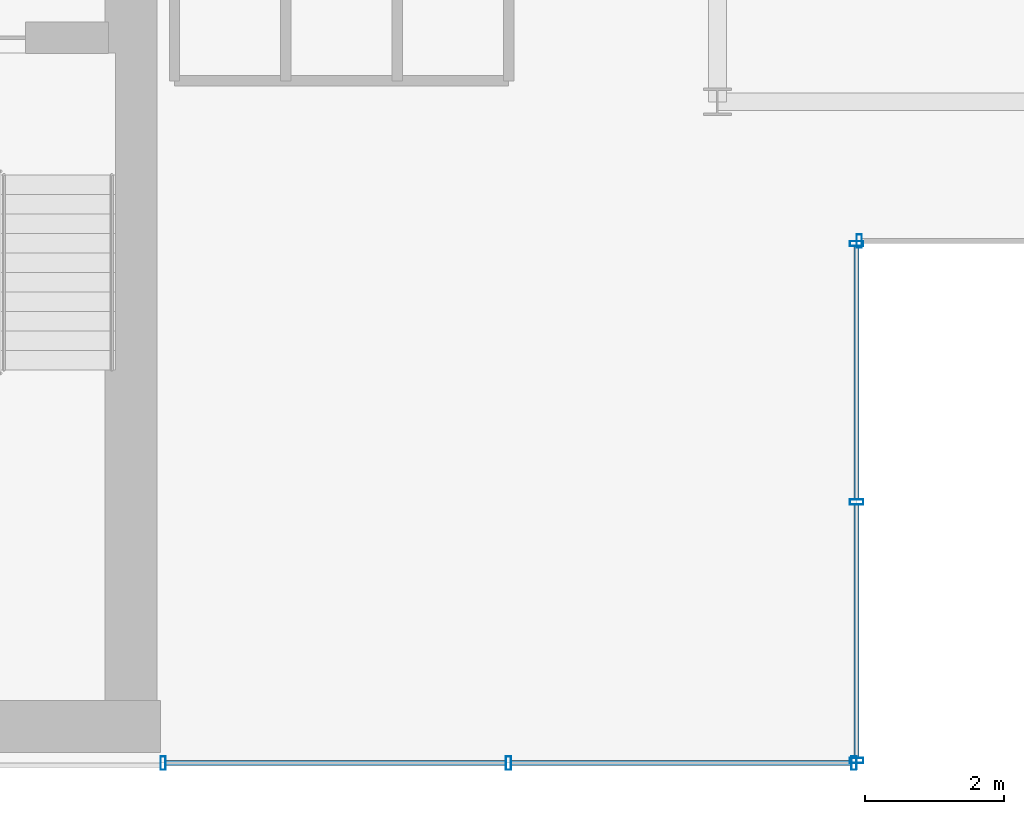
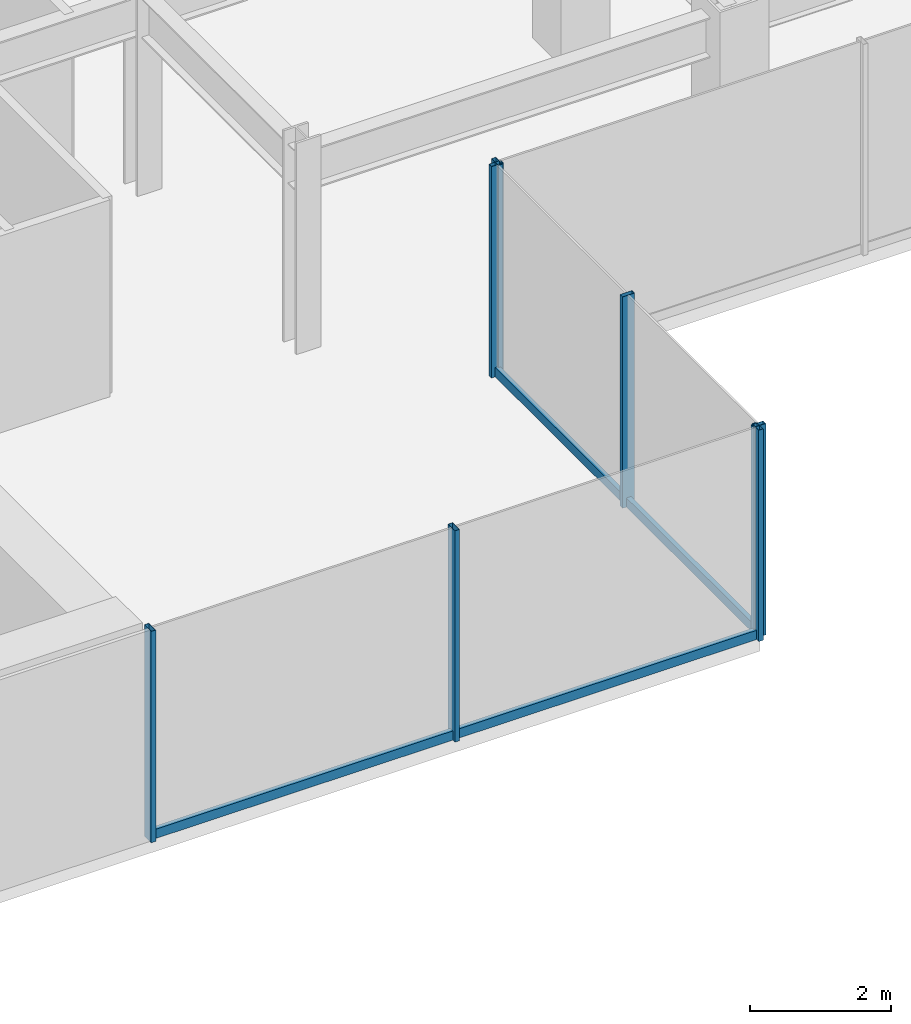
# One storey, part 8 of 26: 11 members, 3 elements without a shape of their own.
"""IFC4 building model written with IfcOpenShell, lengths in metres."""

from ifc_helpers import new_model, si_unit, derived_unit, direction, frame, origin, origin_2d, place, context, subcontext, project, spatial, hollow_rectangle, extrude, source, transform, mapped, material, material_profile, profile_set, type_object, element, aggregate, save


model = new_model("IFC4")

# Units and contexts
model_context = context("Model", 3, precision=1e-05, world=origin(), true_north=direction((0.0, 1.0)))
body_context = subcontext(model_context, "Body", "Model", "MODEL_VIEW")
ifc_project = project(units=[si_unit("LENGTHUNIT", "METRE"), si_unit("AREAUNIT", "SQUARE_METRE"), si_unit("VOLUMEUNIT", "CUBIC_METRE"), si_unit("PLANEANGLEUNIT", "RADIAN"), si_unit("MASSUNIT", "GRAM", prefix="KILO"), derived_unit("THERMALTRANSMITTANCEUNIT", [(si_unit("POWERUNIT", "WATT"), 1), (si_unit("LENGTHUNIT", "METRE"), -2), (si_unit("THERMODYNAMICTEMPERATUREUNIT", "KELVIN"), -1)])], contexts=[model_context])

# Site, building, storey
site_placement = place(None, origin())
site = spatial("IfcSite", under=ifc_project, at=site_placement, CompositionType="ELEMENT")
building_placement = place(site_placement, origin())
building = spatial("IfcBuilding", under=site, at=building_placement, Name="Skarnbrae Concourse Arena and Tower", CompositionType="ELEMENT")
storey_placement = place(building_placement, frame((0.0, 0.0, 128.800048828125)))
storey = spatial("IfcBuildingStorey", under=building, at=storey_placement, Name="L32", CompositionType="ELEMENT", Elevation=128.800048828125)

# Curtain wall, members
ifc_material = material(Name="Bronze anodised aluminium 6063-T6", Category="aluminium")
curtain_wall_type = type_object("IfcCurtainWallType", Name="CW-SYS-04-MIDZONE", PredefinedType="USERDEFINED", material=ifc_material)
curtain_wall_1_placement = place(storey_placement, origin())
curtain_wall_1 = element("IfcCurtainWall", 1, at=curtain_wall_1_placement, inside=storey, type_object=curtain_wall_type, Name="L32 Unitised curtain wall CW-L32-SE-SPINE", ObjectType="UNITISED CURTAIN WALL", PredefinedType="USERDEFINED")
ifc_material_profile_1 = material_profile(ifc_material, hollow_rectangle(XDim=0.074951171875, YDim=0.159912109375, WallThickness=0.00439453125, at=origin_2d()), Name="ALU-TRAN-75X160")
ifc_profile_set_1 = profile_set([ifc_material_profile_1], Name="Bronze anodised aluminium 6063-T6")
member_type_1 = type_object("IfcMemberType", Name="CWT-CW-04", PredefinedType="USERDEFINED", material=ifc_profile_set_1)
shared_shape_1 = source(origin(), body_context, "Body", "SweptSolid", [
    extrude(hollow_rectangle(XDim=0.074951171875, YDim=0.159912109375, WallThickness=0.00439453125, at=origin_2d()), origin(), (0.0, 0.0, 1.0), 4.887451171875),
])
member_1_placement = place(storey_placement, frame((34.074951171875, 0.0, 0.079833984375), z_axis=(1.0, 0.0, 0.0), x_axis=(0.0, 1.0, 0.0)))
member_1 = element("IfcMember", 2, at=member_1_placement, type_object=member_type_1, Name="CW-L32-SE-SPINE Transom 1", ObjectType="TRANSOM", PredefinedType="USERDEFINED", context=body_context, shape_type="MappedRepresentation", body=[
    mapped(shared_shape_1, transform((0.0, 0.0, 0.0))),
])
member_2_placement = place(storey_placement, frame((39.03759765625, 0.0, 0.079833984375), z_axis=(1.0, 0.0, 0.0), x_axis=(0.0, 1.0, 0.0)))
member_2 = element("IfcMember", 3, at=member_2_placement, type_object=member_type_1, Name="CW-L32-SE-SPINE Transom 2", ObjectType="TRANSOM", PredefinedType="USERDEFINED", context=body_context, shape_type="MappedRepresentation", body=[
    mapped(shared_shape_1, transform((0.0, 0.0, 0.0))),
])

curtain_wall_2_placement = place(storey_placement, origin())
curtain_wall_2 = element("IfcCurtainWall", 4, at=curtain_wall_2_placement, inside=storey, type_object=curtain_wall_type, Name="L32 Unitised curtain wall CW-L32-E02", ObjectType="UNITISED CURTAIN WALL", PredefinedType="USERDEFINED")
shared_shape_2 = source(origin(), body_context, "Body", "SweptSolid", [
    extrude(hollow_rectangle(XDim=0.074951171875, YDim=0.159912109375, WallThickness=0.00439453125, at=origin_2d()), origin(), (0.0, 0.0, 1.0), 3.637451171875),
])
member_3_placement = place(storey_placement, frame((44.0, 0.074951171875, 0.079833984375), z_axis=(0.0, 1.0, 0.0), x_axis=(-1.0, 0.0, 0.0)))
member_3 = element("IfcMember", 5, at=member_3_placement, type_object=member_type_1, Name="CW-L32-E02 Transom 1", ObjectType="TRANSOM", PredefinedType="USERDEFINED", context=body_context, shape_type="MappedRepresentation", body=[
    mapped(shared_shape_2, transform((0.0, 0.0, 0.0))),
])
member_4_placement = place(storey_placement, frame((44.0, 3.78759765625, 0.079833984375), z_axis=(0.0, 1.0, 0.0), x_axis=(-1.0, 0.0, 0.0)))
member_4 = element("IfcMember", 6, at=member_4_placement, type_object=member_type_1, Name="CW-L32-E02 Transom 2", ObjectType="TRANSOM", PredefinedType="USERDEFINED", context=body_context, shape_type="MappedRepresentation", body=[
    mapped(shared_shape_2, transform((0.0, 0.0, 0.0))),
])

# Member
ifc_material_profile_2 = material_profile(ifc_material, hollow_rectangle(XDim=0.074951171875, YDim=0.195068359375, WallThickness=0.00439453125, at=origin_2d()), Name="ALU-MULL-75X195")
ifc_profile_set_2 = profile_set([ifc_material_profile_2], Name="Bronze anodised aluminium 6063-T6")
member_type_2 = type_object("IfcMemberType", Name="CWM-CW-04", PredefinedType="MULLION", material=ifc_profile_set_2)
shared_shape_3 = source(origin(), body_context, "Body", "SweptSolid", [
    extrude(hollow_rectangle(XDim=0.074951171875, YDim=0.195068359375, WallThickness=0.00439453125, at=origin_2d()), origin(), (0.0, 0.0, 1.0), 3.64990234375),
])
member_5_placement = place(storey_placement, frame((34.03759765625, 0.0, 0.0), z_axis=(0.0, 0.0, 1.0), x_axis=(1.0, 0.0, 0.0)))
member_5 = element("IfcMember", 7, at=member_5_placement, type_object=member_type_2, Name="CW-L32-SE-SPINE Mullion 1", PredefinedType="MULLION", context=body_context, shape_type="MappedRepresentation", body=[
    mapped(shared_shape_3, transform((0.0, 0.0, 0.0))),
])

member_6_placement = place(storey_placement, frame((39.0, 0.0, 0.0), z_axis=(0.0, 0.0, 1.0), x_axis=(1.0, 0.0, 0.0)))
member_6 = element("IfcMember", 8, at=member_6_placement, type_object=member_type_2, Name="CW-L32-SE-SPINE Mullion 2", PredefinedType="MULLION", context=body_context, shape_type="MappedRepresentation", body=[
    mapped(shared_shape_3, transform((0.0, 0.0, 0.0))),
])

member_7_placement = place(storey_placement, frame((43.96240234375, 0.0, 0.0), z_axis=(0.0, 0.0, 1.0), x_axis=(1.0, 0.0, 0.0)))
member_7 = element("IfcMember", 9, at=member_7_placement, type_object=member_type_2, Name="CW-L32-SE-SPINE Mullion 3", PredefinedType="MULLION", context=body_context, shape_type="MappedRepresentation", body=[
    mapped(shared_shape_3, transform((0.0, 0.0, 0.0))),
])

aggregate(curtain_wall_1, [member_5, member_6, member_7, member_1, member_2])

member_8_placement = place(storey_placement, frame((44.0, 0.03759765625, 0.0), z_axis=(0.0, 0.0, 1.0), x_axis=(0.0, 1.0, 0.0)))
member_8 = element("IfcMember", 10, at=member_8_placement, type_object=member_type_2, Name="CW-L32-E02 Mullion 1", PredefinedType="MULLION", context=body_context, shape_type="MappedRepresentation", body=[
    mapped(shared_shape_3, transform((0.0, 0.0, 0.0))),
])

member_9_placement = place(storey_placement, frame((44.0, 3.75, 0.0), z_axis=(0.0, 0.0, 1.0), x_axis=(0.0, 1.0, 0.0)))
member_9 = element("IfcMember", 11, at=member_9_placement, type_object=member_type_2, Name="CW-L32-E02 Mullion 2", PredefinedType="MULLION", context=body_context, shape_type="MappedRepresentation", body=[
    mapped(shared_shape_3, transform((0.0, 0.0, 0.0))),
])

member_10_placement = place(storey_placement, frame((44.0, 7.46240234375, 0.0), z_axis=(0.0, 0.0, 1.0), x_axis=(0.0, 1.0, 0.0)))
member_10 = element("IfcMember", 12, at=member_10_placement, type_object=member_type_2, Name="CW-L32-E02 Mullion 3", PredefinedType="MULLION", context=body_context, shape_type="MappedRepresentation", body=[
    mapped(shared_shape_3, transform((0.0, 0.0, 0.0))),
])

aggregate(curtain_wall_2, [member_8, member_9, member_10, member_3, member_4])

# Curtain wall, member
curtain_wall_3_placement = place(storey_placement, origin())
curtain_wall_3 = element("IfcCurtainWall", 13, at=curtain_wall_3_placement, inside=storey, type_object=curtain_wall_type, Name="L32 Unitised curtain wall CW-L32-E03", ObjectType="UNITISED CURTAIN WALL", PredefinedType="USERDEFINED")
member_11_placement = place(storey_placement, frame((44.03759765625, 7.5, 0.0), z_axis=(0.0, 0.0, 1.0), x_axis=(1.0, 0.0, 0.0)))
member_11 = element("IfcMember", 14, at=member_11_placement, type_object=member_type_2, Name="CW-L32-E03 Mullion 1", PredefinedType="MULLION", context=body_context, shape_type="MappedRepresentation", body=[
    mapped(shared_shape_3, transform((0.0, 0.0, 0.0))),
])
aggregate(curtain_wall_3, [member_11])

save(model, "model.ifc")
